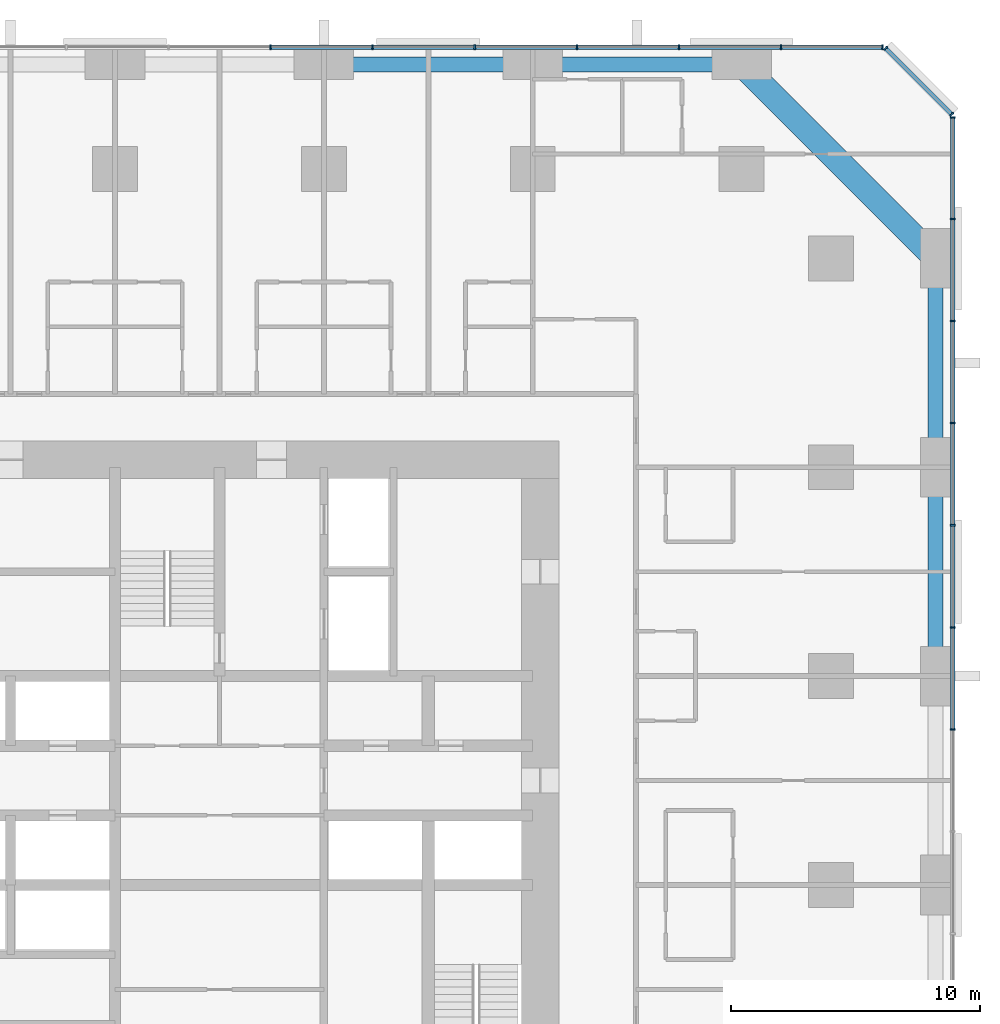
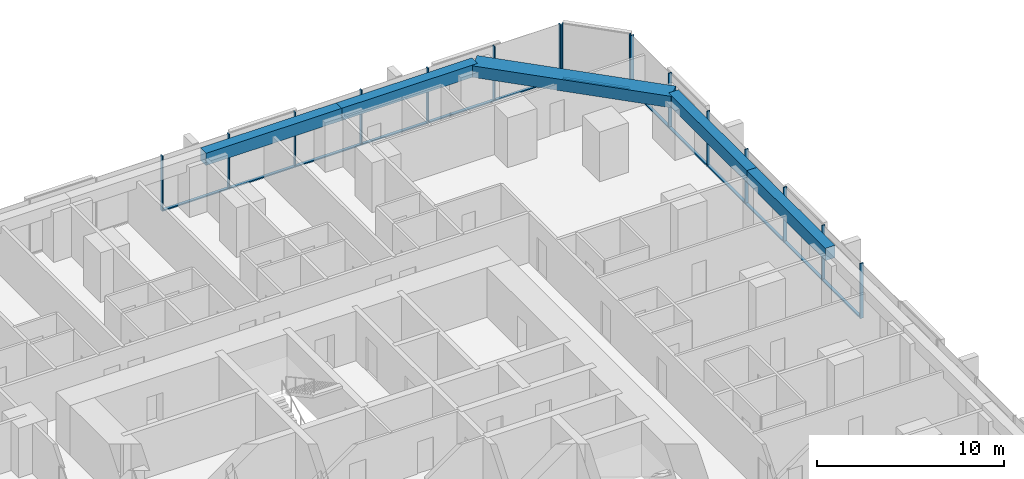
# One storey, part 8 of 17: 29 members, 5 beams, 3 elements without a shape of their own.
"""IFC4 building model written with IfcOpenShell, lengths in metres."""

import ifcopenshell
import ifcopenshell.guid

model = None  # the IFC model being written
_history = None  # IfcOwnerHistory: only IFC2X3 demands one
_inside = {}  # id of a spatial element -> (the spatial element, [elements in it])
_under = {}  # id of a project, library or spatial element -> (it, [spatial elements below it])
_declared = {}  # id of a project -> (the project, [libraries it declares])
_typed = {}  # id of a type object -> (the type object, [elements of that type])
_made_of = {}  # id of a material, layer set ... -> (it, [elements and type objects made of it])


def new_model(schema):
    """Start an empty IFC model of exactly this schema.

    Asked for "IFC4X3", IfcOpenShell would pick the latest addendum, in which some entities
    have other attributes; the version numbers below select the first issue.
    IFC2X3 requires an IfcOwnerHistory on every rooted entity: one is made here for all.
    """
    global model, _history
    if schema == "IFC4X3":
        model = ifcopenshell.file(schema_version=(4, 3, 0, 0))
    else:
        model = ifcopenshell.file(schema=schema)
    _inside.clear()
    _under.clear()
    _declared.clear()
    _typed.clear()
    _made_of.clear()
    _history = None
    if model.schema == "IFC2X3":
        org = make("IfcOrganization", Name="unknown")
        user = make(
            "IfcPersonAndOrganization",
            ThePerson=make("IfcPerson", FamilyName="unknown"),
            TheOrganization=org,
        )
        app = make(
            "IfcApplication",
            ApplicationDeveloper=org,
            Version="unknown",
            ApplicationFullName="unknown",
            ApplicationIdentifier="unknown",
        )
        _history = make(
            "IfcOwnerHistory",
            OwningUser=user,
            OwningApplication=app,
            ChangeAction="ADDED",
            CreationDate=0,
        )
    return model


def make(cls, **values):
    """One entity of the class cls with the attributes given. An attribute that is None is left unset."""
    return model.create_entity(
        cls, **{name: value for name, value in values.items() if value is not None}
    )


def rooted(cls, **values):
    """An entity with a GlobalId (a new one), such as an element, a storey or a relation."""
    return make(cls, GlobalId=ifcopenshell.guid.new(), OwnerHistory=_history, **values)


def si_unit(unit_type, name, prefix=None):
    """IfcSIUnit, for example si_unit("LENGTHUNIT", "METRE", prefix="MILLI")."""
    return make("IfcSIUnit", UnitType=unit_type, Prefix=prefix, Name=name)


def assignment(units):
    """IfcUnitAssignment: the units of a project."""
    return None if units is None else make("IfcUnitAssignment", Units=units)


def point(xyz):
    """IfcCartesianPoint."""
    return None if xyz is None else make("IfcCartesianPoint", Coordinates=xyz)


def direction(xyz):
    """IfcDirection."""
    return None if xyz is None else make("IfcDirection", DirectionRatios=xyz)


def frame(location, z_axis=None, x_axis=None):
    """IfcAxis2Placement3D, a coordinate frame: its origin and axes. An axis left out is left unset."""
    return make(
        "IfcAxis2Placement3D",
        Location=point(location),
        Axis=direction(z_axis),
        RefDirection=direction(x_axis),
    )


def frame_2d(location, x_axis=None):
    """IfcAxis2Placement2D, a coordinate frame in the plane: its origin and x axis."""
    return make(
        "IfcAxis2Placement2D", Location=point(location), RefDirection=direction(x_axis)
    )


def origin():
    """The frame at (0, 0, 0) with its axes left unset."""
    return frame((0.0, 0.0, 0.0))


def origin_2d():
    """The frame at (0, 0) in the plane with its x axis left unset."""
    return frame_2d((0.0, 0.0))


def place(relative_to, where):
    """IfcLocalPlacement: puts the frame where relative to a parent placement (None: the world)."""
    return make(
        "IfcLocalPlacement", PlacementRelTo=relative_to, RelativePlacement=where
    )


def context(
    kind, dimensions, precision=None, world=None, true_north=None, identifier=None
):
    """IfcGeometricRepresentationContext, for example the 3D "Model" context."""
    return make(
        "IfcGeometricRepresentationContext",
        ContextIdentifier=identifier,
        ContextType=kind,
        CoordinateSpaceDimension=dimensions,
        Precision=precision,
        WorldCoordinateSystem=world,
        TrueNorth=true_north,
    )


def subcontext(parent, identifier, kind, view, scale=None):
    """IfcGeometricRepresentationSubContext, for example "Body" below "Model"."""
    return make(
        "IfcGeometricRepresentationSubContext",
        ContextIdentifier=identifier,
        ContextType=kind,
        ParentContext=parent,
        TargetScale=scale,
        TargetView=view,
    )


def project(units=None, contexts=None):
    """IfcProject with its units and contexts."""
    return rooted(
        "IfcProject",
        Name="project",
        RepresentationContexts=contexts,
        UnitsInContext=assignment(units),
    )


def spatial(cls, under=None, at=None, **own):
    """A site, building, storey or space (cls), placed at a placement, below another one or the project."""
    s = rooted(cls, ObjectPlacement=at, **own)
    if under is not None:
        _under.setdefault(under.id(), (under, []))[1].append(s)
    return s


def profile(cls, at=None, kind="AREA", **sizes):
    """A parametric profile (cls). Its sizes go by their IFC names, for example OverallWidth=200.0."""
    return make(cls, ProfileType=kind, Position=at, **sizes)


def rectangle(**sizes):
    """IfcRectangleProfileDef."""
    return profile("IfcRectangleProfileDef", **sizes)


def extrude(swept, where, along, depth):
    """IfcExtrudedAreaSolid: the profile swept, set in the frame where, extruded along a direction by depth."""
    return make(
        "IfcExtrudedAreaSolid",
        SweptArea=swept,
        Position=where,
        ExtrudedDirection=direction(along),
        Depth=depth,
    )


def shape(context_of_items, identifier, shape_type, items):
    """IfcShapeRepresentation: the items that make up one representation, for example the "Body"."""
    return make(
        "IfcShapeRepresentation",
        ContextOfItems=context_of_items,
        RepresentationIdentifier=identifier,
        RepresentationType=shape_type,
        Items=items,
    )


def material(Name=None, Category=None):
    """IfcMaterial."""
    return make("IfcMaterial", Name=Name, Category=Category)


def material_profile(
    of_material, cross_section, Name=None, Category=None, Priority=None
):
    """IfcMaterialProfile: a cross section and its material."""
    return make(
        "IfcMaterialProfile",
        Name=Name,
        Material=of_material,
        Profile=cross_section,
        Priority=Priority,
        Category=Category,
    )


def profile_set(profiles, Name=None, composite=None):
    """IfcMaterialProfileSet."""
    return make(
        "IfcMaterialProfileSet",
        Name=Name,
        MaterialProfiles=profiles,
        CompositeProfile=composite,
    )


def made_of(thing, what):
    """Note that an element or type object is made of a material, layer set ...; save() writes the relation."""
    if what is not None:
        _made_of.setdefault(what.id(), (what, []))[1].append(thing)
    return thing


def type_object(cls, material=None, **own):
    """A type object (cls), such as IfcWallType, which elements share."""
    return made_of(rooted(cls, **own), material)


def element(
    cls,
    number,
    at=None,
    inside=None,
    cuts=None,
    type_object=None,
    material=None,
    context=None,
    identifier="Body",
    shape_type=None,
    held_by="IfcProductDefinitionShape",
    body=None,
    shapes=None,
    **own,
):
    """One element of the class cls, such as IfcWall. Its Tag is "e" and its number.

    at: its placement. inside: the storey or other place that contains it. cuts: it is an
    opening in that element (IfcRelVoidsElement). A single representation is given by context,
    identifier, shape_type and body (its items); several are given by shapes. held_by: the class
    of the entity that holds the representations. save() writes the other relations.
    """
    e = rooted(cls, Tag="e%d" % number, ObjectPlacement=at, **own)
    if body is not None:
        shapes = [shape(context, identifier, shape_type, body)]
    if shapes is not None:
        e.Representation = make(held_by, Representations=shapes)
    if inside is not None:
        _inside.setdefault(inside.id(), (inside, []))[1].append(e)
    if cuts is not None:
        rooted(
            "IfcRelVoidsElement", RelatingBuildingElement=cuts, RelatedOpeningElement=e
        )
    if type_object is not None:
        _typed.setdefault(type_object.id(), (type_object, []))[1].append(e)
    return made_of(e, material)


def aggregate(whole, parts):
    """IfcRelAggregates: a whole, such as a stair, and the parts it consists of."""
    return rooted("IfcRelAggregates", RelatingObject=whole, RelatedObjects=parts)


def save(model, path):
    """Write the relations noted so far, then the file.

    IfcRelAggregates (storeys below a building ...), IfcRelContainedInSpatialStructure (elements
    in a storey), IfcRelDefinesByType, IfcRelAssociatesMaterial and IfcRelDeclares: one each for
    every whole, place, type object, material and project.
    """
    for whole, parts in _under.values():
        aggregate(whole, parts)
    for where, things in _inside.values():
        rooted(
            "IfcRelContainedInSpatialStructure",
            RelatedElements=things,
            RelatingStructure=where,
        )
    for kind, things in _typed.values():
        rooted("IfcRelDefinesByType", RelatedObjects=things, RelatingType=kind)
    for what, things in _made_of.values():
        rooted("IfcRelAssociatesMaterial", RelatedObjects=things, RelatingMaterial=what)
    for by, libraries in _declared.values():
        rooted("IfcRelDeclares", RelatingContext=by, RelatedDefinitions=libraries)
    model.write(path)


model = new_model("IFC4")

# Units and contexts
model_context = context("Model", 3, precision=1e-05, world=origin(), true_north=direction((0.0, 1.0)))
body_context = subcontext(model_context, "Body", "Model", "MODEL_VIEW")
ifc_project = project(units=[si_unit("LENGTHUNIT", "METRE"), si_unit("AREAUNIT", "SQUARE_METRE"), si_unit("VOLUMEUNIT", "CUBIC_METRE"), si_unit("PLANEANGLEUNIT", "RADIAN"), si_unit("MASSUNIT", "GRAM", prefix="KILO")], contexts=[model_context])

# Site, building, storey
site_placement = place(None, origin())
site = spatial("IfcSite", under=ifc_project, at=site_placement, CompositionType="ELEMENT")
building_placement = place(site_placement, origin())
building = spatial("IfcBuilding", under=site, at=building_placement, Name="Dunama Terrace Hotel", CompositionType="ELEMENT")
storey_placement = place(building_placement, frame((0.0, 0.0, 66.60009765625)))
storey = spatial("IfcBuildingStorey", under=building, at=storey_placement, Name="L16", CompositionType="ELEMENT", Elevation=66.60009765625)

# Curtain wall, members
ifc_material_1 = material(Name="Aluminium curtain wall system", Category="aluminium")
curtain_wall_type = type_object("IfcCurtainWallType", Name="Unitised fritted glass wall CW-A", PredefinedType="NOTDEFINED", material=ifc_material_1)
curtain_wall_1_placement = place(storey_placement, origin())
curtain_wall_1 = element("IfcCurtainWall", 1, at=curtain_wall_1_placement, inside=storey, type_object=curtain_wall_type, Name="Unitised fritted glass wall CW-A L16", PredefinedType="NOTDEFINED")
ifc_material_2 = material(Name="Aluminium mullion", Category="aluminium")
ifc_material_profile_1 = material_profile(ifc_material_2, rectangle(XDim=0.06494140625, YDim=0.199951171875, at=origin_2d()), Name="CWA MULLION 65X200")
ifc_profile_set_1 = profile_set([ifc_material_profile_1], Name="Aluminium mullion")
member_type_1 = type_object("IfcMemberType", Name="CWA mullion 65x200", PredefinedType="MULLION", material=ifc_profile_set_1)
member_1_placement = place(storey_placement, frame((58.89990234375, 31.4541015625, 0.0), z_axis=(0.0, 0.0, 1.0), x_axis=(0.0, 1.0, 0.0)))
member_1 = element("IfcMember", 2, at=member_1_placement, type_object=member_type_1, Name="CWA mullion", PredefinedType="MULLION", context=body_context, shape_type="SweptSolid", body=[
    extrude(rectangle(XDim=0.06494140625, YDim=0.199951171875, at=origin_2d()), origin(), (0.0, 0.0, 1.0), 3.599853515625),
])
member_2_placement = place(storey_placement, frame((58.89990234375, 35.56201171875, 0.0), z_axis=(0.0, 0.0, 1.0), x_axis=(0.0, 1.0, 0.0)))
member_2 = element("IfcMember", 3, at=member_2_placement, type_object=member_type_1, Name="CWA mullion", PredefinedType="MULLION", context=body_context, shape_type="SweptSolid", body=[
    extrude(rectangle(XDim=0.06494140625, YDim=0.199951171875, at=origin_2d()), origin(), (0.0, 0.0, 1.0), 3.599853515625),
])
member_3_placement = place(storey_placement, frame((58.89990234375, 39.6689453125, 0.0), z_axis=(0.0, 0.0, 1.0), x_axis=(0.0, 1.0, 0.0)))
member_3 = element("IfcMember", 4, at=member_3_placement, type_object=member_type_1, Name="CWA mullion", PredefinedType="MULLION", context=body_context, shape_type="SweptSolid", body=[
    extrude(rectangle(XDim=0.06494140625, YDim=0.199951171875, at=origin_2d()), origin(), (0.0, 0.0, 1.0), 3.599853515625),
])
member_4_placement = place(storey_placement, frame((58.89990234375, 43.777099609375, 0.0), z_axis=(0.0, 0.0, 1.0), x_axis=(0.0, 1.0, 0.0)))
member_4 = element("IfcMember", 5, at=member_4_placement, type_object=member_type_1, Name="CWA mullion", PredefinedType="MULLION", context=body_context, shape_type="SweptSolid", body=[
    extrude(rectangle(XDim=0.06494140625, YDim=0.199951171875, at=origin_2d()), origin(), (0.0, 0.0, 1.0), 3.599853515625),
])
member_5_placement = place(storey_placement, frame((58.89990234375, 47.885009765625, 0.0), z_axis=(0.0, 0.0, 1.0), x_axis=(0.0, 1.0, 0.0)))
member_5 = element("IfcMember", 6, at=member_5_placement, type_object=member_type_1, Name="CWA mullion", PredefinedType="MULLION", context=body_context, shape_type="SweptSolid", body=[
    extrude(rectangle(XDim=0.06494140625, YDim=0.199951171875, at=origin_2d()), origin(), (0.0, 0.0, 1.0), 3.599853515625),
])
member_6_placement = place(storey_placement, frame((58.89990234375, 51.991943359375, 0.0), z_axis=(0.0, 0.0, 1.0), x_axis=(0.0, 1.0, 0.0)))
member_6 = element("IfcMember", 7, at=member_6_placement, type_object=member_type_1, Name="CWA mullion", PredefinedType="MULLION", context=body_context, shape_type="SweptSolid", body=[
    extrude(rectangle(XDim=0.06494140625, YDim=0.199951171875, at=origin_2d()), origin(), (0.0, 0.0, 1.0), 3.599853515625),
])
member_7_placement = place(storey_placement, frame((58.89990234375, 56.06689453125, 0.0), z_axis=(0.0, 0.0, 1.0), x_axis=(0.0, 1.0, 0.0)))
member_7 = element("IfcMember", 8, at=member_7_placement, type_object=member_type_1, Name="CWA mullion", PredefinedType="MULLION", context=body_context, shape_type="SweptSolid", body=[
    extrude(rectangle(XDim=0.06494140625, YDim=0.199951171875, at=origin_2d()), origin(), (0.0, 0.0, 1.0), 3.599853515625),
])

curtain_wall_2_placement = place(storey_placement, origin())
curtain_wall_2 = element("IfcCurtainWall", 9, at=curtain_wall_2_placement, inside=storey, type_object=curtain_wall_type, Name="Unitised fritted glass wall CW-A L16", PredefinedType="NOTDEFINED")
member_8_placement = place(storey_placement, frame((58.847900390625, 56.194091796875, 0.0), z_axis=(0.0, 0.0, 1.0), x_axis=(-0.707106781187, 0.707106781187, 0.0)))
member_8 = element("IfcMember", 10, at=member_8_placement, type_object=member_type_1, Name="CWA mullion", PredefinedType="MULLION", context=body_context, shape_type="SweptSolid", body=[
    extrude(rectangle(XDim=0.06494140625, YDim=0.199951171875, at=origin_2d()), origin(), (0.0, 0.0, 1.0), 3.599853515625),
])
member_9_placement = place(storey_placement, frame((56.194091796875, 58.847900390625, 0.0), z_axis=(0.0, 0.0, 1.0), x_axis=(-0.707106781187, 0.707106781187, 0.0)))
member_9 = element("IfcMember", 11, at=member_9_placement, type_object=member_type_1, Name="CWA mullion", PredefinedType="MULLION", context=body_context, shape_type="SweptSolid", body=[
    extrude(rectangle(XDim=0.06494140625, YDim=0.199951171875, at=origin_2d()), origin(), (0.0, 0.0, 1.0), 3.599853515625),
])

curtain_wall_3_placement = place(storey_placement, origin())
curtain_wall_3 = element("IfcCurtainWall", 12, at=curtain_wall_3_placement, inside=storey, type_object=curtain_wall_type, Name="Unitised fritted glass wall CW-A L16", PredefinedType="NOTDEFINED")
member_10_placement = place(storey_placement, frame((56.06689453125, 58.89990234375, 0.0), z_axis=(0.0, 0.0, 1.0), x_axis=(-1.0, 0.0, 0.0)))
member_10 = element("IfcMember", 13, at=member_10_placement, type_object=member_type_1, Name="CWA mullion", PredefinedType="MULLION", context=body_context, shape_type="SweptSolid", body=[
    extrude(rectangle(XDim=0.06494140625, YDim=0.199951171875, at=origin_2d()), origin(), (0.0, 0.0, 1.0), 3.599853515625),
])
member_11_placement = place(storey_placement, frame((51.991943359375, 58.89990234375, 0.0), z_axis=(0.0, 0.0, 1.0), x_axis=(-1.0, 0.0, 0.0)))
member_11 = element("IfcMember", 14, at=member_11_placement, type_object=member_type_1, Name="CWA mullion", PredefinedType="MULLION", context=body_context, shape_type="SweptSolid", body=[
    extrude(rectangle(XDim=0.06494140625, YDim=0.199951171875, at=origin_2d()), origin(), (0.0, 0.0, 1.0), 3.599853515625),
])
member_12_placement = place(storey_placement, frame((47.885009765625, 58.89990234375, 0.0), z_axis=(0.0, 0.0, 1.0), x_axis=(-1.0, 0.0, 0.0)))
member_12 = element("IfcMember", 15, at=member_12_placement, type_object=member_type_1, Name="CWA mullion", PredefinedType="MULLION", context=body_context, shape_type="SweptSolid", body=[
    extrude(rectangle(XDim=0.06494140625, YDim=0.199951171875, at=origin_2d()), origin(), (0.0, 0.0, 1.0), 3.599853515625),
])
member_13_placement = place(storey_placement, frame((43.777099609375, 58.89990234375, 0.0), z_axis=(0.0, 0.0, 1.0), x_axis=(-1.0, 0.0, 0.0)))
member_13 = element("IfcMember", 16, at=member_13_placement, type_object=member_type_1, Name="CWA mullion", PredefinedType="MULLION", context=body_context, shape_type="SweptSolid", body=[
    extrude(rectangle(XDim=0.06494140625, YDim=0.199951171875, at=origin_2d()), origin(), (0.0, 0.0, 1.0), 3.599853515625),
])
member_14_placement = place(storey_placement, frame((39.6689453125, 58.89990234375, 0.0), z_axis=(0.0, 0.0, 1.0), x_axis=(-1.0, 0.0, 0.0)))
member_14 = element("IfcMember", 17, at=member_14_placement, type_object=member_type_1, Name="CWA mullion", PredefinedType="MULLION", context=body_context, shape_type="SweptSolid", body=[
    extrude(rectangle(XDim=0.06494140625, YDim=0.199951171875, at=origin_2d()), origin(), (0.0, 0.0, 1.0), 3.599853515625),
])
member_15_placement = place(storey_placement, frame((35.56201171875, 58.89990234375, 0.0), z_axis=(0.0, 0.0, 1.0), x_axis=(-1.0, 0.0, 0.0)))
member_15 = element("IfcMember", 18, at=member_15_placement, type_object=member_type_1, Name="CWA mullion", PredefinedType="MULLION", context=body_context, shape_type="SweptSolid", body=[
    extrude(rectangle(XDim=0.06494140625, YDim=0.199951171875, at=origin_2d()), origin(), (0.0, 0.0, 1.0), 3.599853515625),
])
member_16_placement = place(storey_placement, frame((31.4541015625, 58.89990234375, 0.0), z_axis=(0.0, 0.0, 1.0), x_axis=(-1.0, 0.0, 0.0)))
member_16 = element("IfcMember", 19, at=member_16_placement, type_object=member_type_1, Name="CWA mullion", PredefinedType="MULLION", context=body_context, shape_type="SweptSolid", body=[
    extrude(rectangle(XDim=0.06494140625, YDim=0.199951171875, at=origin_2d()), origin(), (0.0, 0.0, 1.0), 3.599853515625),
])

# Member
ifc_material_3 = material(Name="Aluminium transom", Category="aluminium")
ifc_material_profile_2 = material_profile(ifc_material_3, rectangle(XDim=0.179931640625, YDim=0.074951171875, at=origin_2d()), Name="CWA TRANSOM 180X75")
ifc_profile_set_2 = profile_set([ifc_material_profile_2], Name="Aluminium transom")
member_type_2 = type_object("IfcMemberType", Name="CWA transom 180x75", PredefinedType="USERDEFINED", material=ifc_profile_set_2)
member_17_placement = place(storey_placement, frame((58.89990234375, 31.486083984375, 0.037353515625), z_axis=(0.0, 1.0, 0.0), x_axis=(-1.0, 0.0, 0.0)))
member_17 = element("IfcMember", 20, at=member_17_placement, type_object=member_type_2, Name="CWA transom", ObjectType="TRANSOM", PredefinedType="USERDEFINED", context=body_context, shape_type="SweptSolid", body=[
    extrude(rectangle(XDim=0.179931640625, YDim=0.074951171875, at=origin_2d()), origin(), (0.0, 0.0, 1.0), 4.04296875),
])

member_18_placement = place(storey_placement, frame((58.89990234375, 35.593994140625, 0.037353515625), z_axis=(0.0, 1.0, 0.0), x_axis=(-1.0, 0.0, 0.0)))
member_18 = element("IfcMember", 21, at=member_18_placement, type_object=member_type_2, Name="CWA transom", ObjectType="TRANSOM", PredefinedType="USERDEFINED", context=body_context, shape_type="SweptSolid", body=[
    extrude(rectangle(XDim=0.179931640625, YDim=0.074951171875, at=origin_2d()), origin(), (0.0, 0.0, 1.0), 4.04296875),
])

member_19_placement = place(storey_placement, frame((58.89990234375, 39.701904296875, 0.037353515625), z_axis=(0.0, 1.0, 0.0), x_axis=(-1.0, 0.0, 0.0)))
member_19 = element("IfcMember", 22, at=member_19_placement, type_object=member_type_2, Name="CWA transom", ObjectType="TRANSOM", PredefinedType="USERDEFINED", context=body_context, shape_type="SweptSolid", body=[
    extrude(rectangle(XDim=0.179931640625, YDim=0.074951171875, at=origin_2d()), origin(), (0.0, 0.0, 1.0), 4.0419921875),
])

member_20_placement = place(storey_placement, frame((58.89990234375, 43.80908203125, 0.037353515625), z_axis=(0.0, 1.0, 0.0), x_axis=(-1.0, 0.0, 0.0)))
member_20 = element("IfcMember", 23, at=member_20_placement, type_object=member_type_2, Name="CWA transom", ObjectType="TRANSOM", PredefinedType="USERDEFINED", context=body_context, shape_type="SweptSolid", body=[
    extrude(rectangle(XDim=0.179931640625, YDim=0.074951171875, at=origin_2d()), origin(), (0.0, 0.0, 1.0), 4.04296875),
])

member_21_placement = place(storey_placement, frame((58.89990234375, 47.9169921875, 0.037353515625), z_axis=(0.0, 1.0, 0.0), x_axis=(-1.0, 0.0, 0.0)))
member_21 = element("IfcMember", 24, at=member_21_placement, type_object=member_type_2, Name="CWA transom", ObjectType="TRANSOM", PredefinedType="USERDEFINED", context=body_context, shape_type="SweptSolid", body=[
    extrude(rectangle(XDim=0.179931640625, YDim=0.074951171875, at=origin_2d()), origin(), (0.0, 0.0, 1.0), 4.04296875),
])

member_22_placement = place(storey_placement, frame((58.89990234375, 52.02490234375, 0.037353515625), z_axis=(0.0, 1.0, 0.0), x_axis=(-1.0, 0.0, 0.0)))
member_22 = element("IfcMember", 25, at=member_22_placement, type_object=member_type_2, Name="CWA transom", ObjectType="TRANSOM", PredefinedType="USERDEFINED", context=body_context, shape_type="SweptSolid", body=[
    extrude(rectangle(XDim=0.179931640625, YDim=0.074951171875, at=origin_2d()), origin(), (0.0, 0.0, 1.0), 4.010009765625),
])

aggregate(curtain_wall_1, [member_1, member_2, member_3, member_4, member_5, member_6, member_7, member_17, member_18, member_19, member_20, member_21, member_22])

member_23_placement = place(storey_placement, frame((58.824951171875, 56.217041015625, 0.037353515625), z_axis=(-0.707106781187, 0.707106781187, 0.0), x_axis=(-0.707106781187, -0.707106781187, 0.0)))
member_23 = element("IfcMember", 26, at=member_23_placement, type_object=member_type_2, Name="CWA transom", ObjectType="TRANSOM", PredefinedType="USERDEFINED", context=body_context, shape_type="SweptSolid", body=[
    extrude(rectangle(XDim=0.179931640625, YDim=0.074951171875, at=origin_2d()), origin(), (0.0, 0.0, 1.0), 3.688232421875),
])

aggregate(curtain_wall_2, [member_8, member_9, member_23])

member_24_placement = place(storey_placement, frame((56.034912109375, 58.89990234375, 0.037353515625), z_axis=(-1.0, 0.0, 0.0), x_axis=(0.0, -1.0, 0.0)))
member_24 = element("IfcMember", 27, at=member_24_placement, type_object=member_type_2, Name="CWA transom", ObjectType="TRANSOM", PredefinedType="USERDEFINED", context=body_context, shape_type="SweptSolid", body=[
    extrude(rectangle(XDim=0.179931640625, YDim=0.074951171875, at=origin_2d()), origin(), (0.0, 0.0, 1.0), 4.010009765625),
])

member_25_placement = place(storey_placement, frame((51.9599609375, 58.89990234375, 0.037353515625), z_axis=(-1.0, 0.0, 0.0), x_axis=(0.0, -1.0, 0.0)))
member_25 = element("IfcMember", 28, at=member_25_placement, type_object=member_type_2, Name="CWA transom", ObjectType="TRANSOM", PredefinedType="USERDEFINED", context=body_context, shape_type="SweptSolid", body=[
    extrude(rectangle(XDim=0.179931640625, YDim=0.074951171875, at=origin_2d()), origin(), (0.0, 0.0, 1.0), 4.04296875),
])

member_26_placement = place(storey_placement, frame((47.85205078125, 58.89990234375, 0.037353515625), z_axis=(-1.0, 0.0, 0.0), x_axis=(0.0, -1.0, 0.0)))
member_26 = element("IfcMember", 29, at=member_26_placement, type_object=member_type_2, Name="CWA transom", ObjectType="TRANSOM", PredefinedType="USERDEFINED", context=body_context, shape_type="SweptSolid", body=[
    extrude(rectangle(XDim=0.179931640625, YDim=0.074951171875, at=origin_2d()), origin(), (0.0, 0.0, 1.0), 4.04296875),
])

member_27_placement = place(storey_placement, frame((43.743896484375, 58.89990234375, 0.037353515625), z_axis=(-1.0, 0.0, 0.0), x_axis=(0.0, -1.0, 0.0)))
member_27 = element("IfcMember", 30, at=member_27_placement, type_object=member_type_2, Name="CWA transom", ObjectType="TRANSOM", PredefinedType="USERDEFINED", context=body_context, shape_type="SweptSolid", body=[
    extrude(rectangle(XDim=0.179931640625, YDim=0.074951171875, at=origin_2d()), origin(), (0.0, 0.0, 1.0), 4.0419921875),
])

member_28_placement = place(storey_placement, frame((39.636962890625, 58.89990234375, 0.037353515625), z_axis=(-1.0, 0.0, 0.0), x_axis=(0.0, -1.0, 0.0)))
member_28 = element("IfcMember", 31, at=member_28_placement, type_object=member_type_2, Name="CWA transom", ObjectType="TRANSOM", PredefinedType="USERDEFINED", context=body_context, shape_type="SweptSolid", body=[
    extrude(rectangle(XDim=0.179931640625, YDim=0.074951171875, at=origin_2d()), origin(), (0.0, 0.0, 1.0), 4.04296875),
])

member_29_placement = place(storey_placement, frame((35.529052734375, 58.89990234375, 0.037353515625), z_axis=(-1.0, 0.0, 0.0), x_axis=(0.0, -1.0, 0.0)))
member_29 = element("IfcMember", 32, at=member_29_placement, type_object=member_type_2, Name="CWA transom", ObjectType="TRANSOM", PredefinedType="USERDEFINED", context=body_context, shape_type="SweptSolid", body=[
    extrude(rectangle(XDim=0.179931640625, YDim=0.074951171875, at=origin_2d()), origin(), (0.0, 0.0, 1.0), 4.04296875),
])

aggregate(curtain_wall_3, [member_10, member_11, member_12, member_13, member_14, member_15, member_16, member_24, member_25, member_26, member_27, member_28, member_29])

# Beams
ifc_material_4 = material(Name="Concrete C50/60", Category="concrete")
ifc_material_profile_3 = material_profile(ifc_material_4, rectangle(XDim=1.0, YDim=0.75, at=origin_2d()), Name="RC 1000x750")
ifc_profile_set_3 = profile_set([ifc_material_profile_3], Name="Concrete C50/60")
beam_type_1 = type_object("IfcBeamType", Name="Edge beam RC 1000x750", PredefinedType="SPANDREL", material=ifc_profile_set_3)
beam_placement = place(storey_placement, frame((50.39990234375, 58.199951171875, 3.224853515625), z_axis=(0.707106781187, -0.707106781187, 0.0), x_axis=(0.707106781187, 0.707106781187, 0.0)))
element("IfcBeam", 33, at=beam_placement, inside=storey, type_object=beam_type_1, Name="Corner edge beam under L17", PredefinedType="SPANDREL", context=body_context, shape_type="SweptSolid", body=[
    extrude(rectangle(XDim=1.0, YDim=0.75, at=origin_2d()), origin(), (0.0, 0.0, 1.0), 11.031005859375),
])
ifc_material_5 = material(Name="Concrete C40/50", Category="concrete")
ifc_material_profile_4 = material_profile(ifc_material_5, rectangle(XDim=0.60009765625, YDim=0.800048828125, at=origin_2d()), Name="RC 600x800")
ifc_profile_set_4 = profile_set([ifc_material_profile_4], Name="Concrete C40/50")
beam_type_2 = type_object("IfcBeamType", Name="Edge beam RC 600x800", PredefinedType="SPANDREL", material=ifc_profile_set_4)
for number, where, z_axis, x_axis, name in (
    (34, (58.199951171875, 33.60009765625, 3.199951171875), (0.0, 1.0, 0.0), (-1.0, 0.0, 0.0), "Edge beam under L17"),
    (35, (58.199951171875, 42.0, 3.199951171875), (0.0, 1.0, 0.0), (-1.0, 0.0, 0.0), "Edge beam under L17"),
    (36, (33.60009765625, 58.199951171875, 3.199951171875), (1.0, 0.0, 0.0), (0.0, 1.0, 0.0), "Edge beam under L17"),
    (37, (42.0, 58.199951171875, 3.199951171875), (1.0, 0.0, 0.0), (0.0, 1.0, 0.0), "Edge beam under L17"),
):
    element("IfcBeam", number, at=place(storey_placement, frame(where, z_axis=z_axis, x_axis=x_axis)), inside=storey, type_object=beam_type_2, Name=name, PredefinedType="SPANDREL", context=body_context, shape_type="SweptSolid", body=[
        extrude(rectangle(XDim=0.60009765625, YDim=0.800048828125, at=origin_2d()), origin(), (0.0, 0.0, 1.0), 8.39990234375),
    ])

save(model, "model.ifc")
